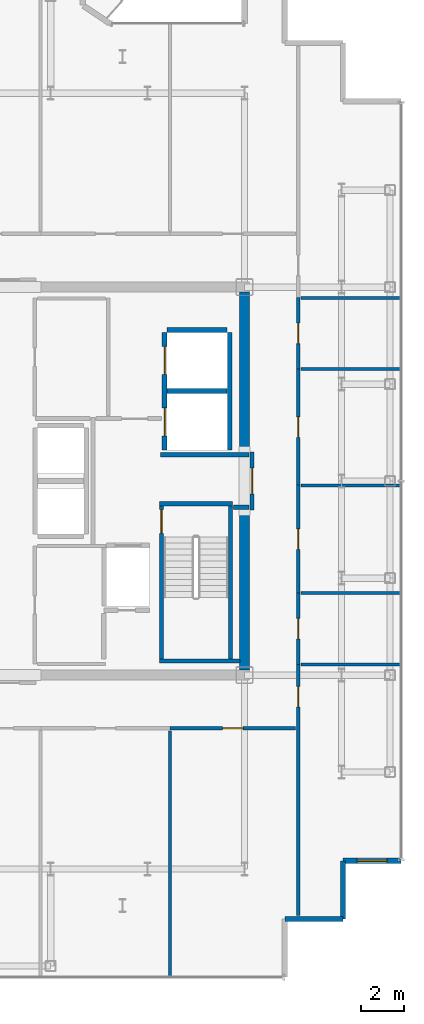
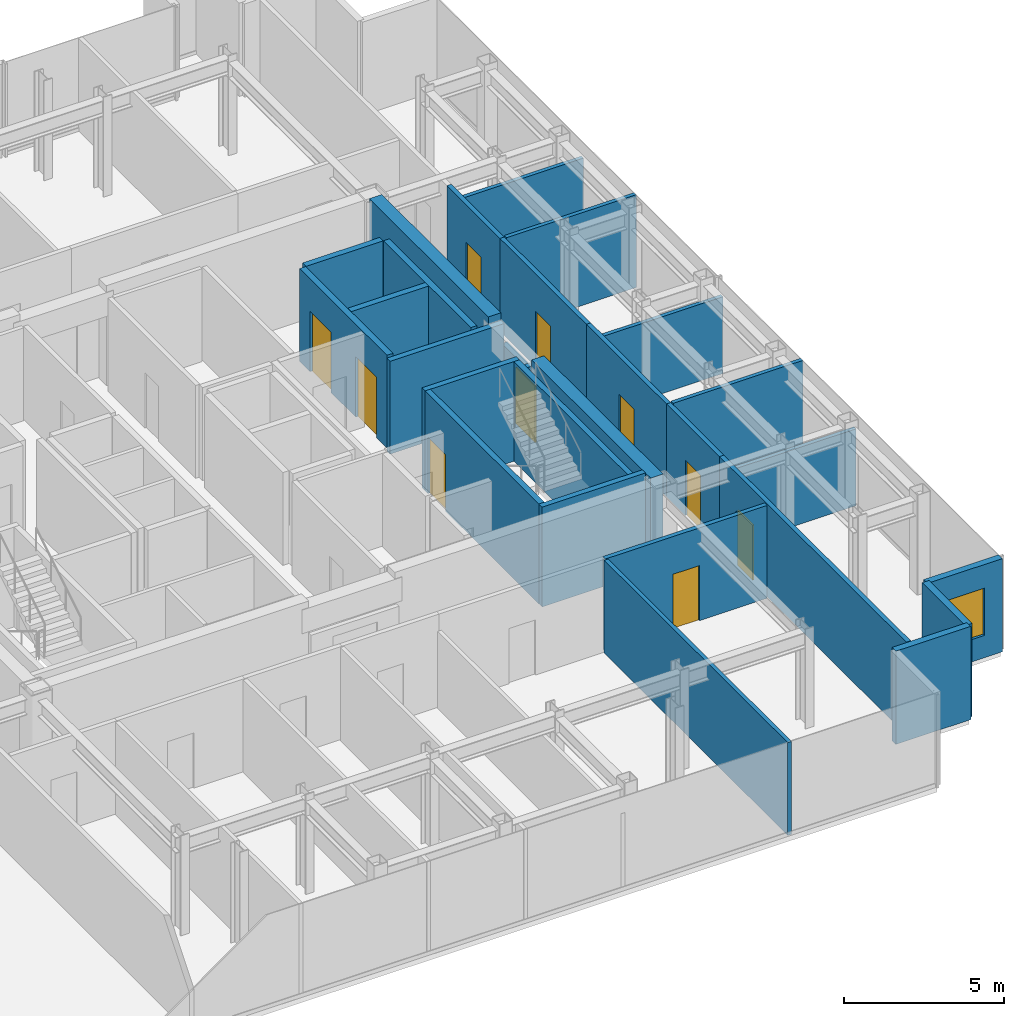
# One storey, part 15 of 18: 28 walls, 10 doors, 1 window, 11 openings.
"""IFC4 building model written with IfcOpenShell, lengths in metres."""

from ifc_helpers import new_model, si_unit, direction, frame, frame_2d, origin, place, context, subcontext, project, spatial, rectangle, extrude, source, transform, mapped, material, layer, layer_set, type_object, element, fill, save


model = new_model("IFC4")

# Units and contexts
model_context = context("Model", 3, precision=1e-05, world=origin(), true_north=direction((0.0, 1.0)))
body_context = subcontext(model_context, "Body", "Model", "MODEL_VIEW")
ifc_project = project(units=[si_unit("LENGTHUNIT", "METRE"), si_unit("AREAUNIT", "SQUARE_METRE"), si_unit("VOLUMEUNIT", "CUBIC_METRE"), si_unit("PLANEANGLEUNIT", "RADIAN"), si_unit("MASSUNIT", "GRAM", prefix="KILO")], contexts=[model_context])

# Site, building, storey
site_placement = place(None, origin())
site = spatial("IfcSite", under=ifc_project, at=site_placement, CompositionType="ELEMENT")
building_placement = place(site_placement, origin())
building = spatial("IfcBuilding", under=site, at=building_placement, Name="Nefas-Gora Pilgrimage Tower", CompositionType="ELEMENT")
storey_placement = place(building_placement, frame((0.0, 0.0, 291.199951171875)))
storey = spatial("IfcBuildingStorey", under=building, at=storey_placement, Name="L73", CompositionType="ELEMENT", Elevation=291.199951171875)

# Walls
ifc_material_1 = material(Name="Concrete C50/60", Category="concrete")
ifc_layer_1 = layer(ifc_material_1, 0.449951171875)
ifc_layer_set_1 = layer_set([ifc_layer_1], Name="Concrete C50/60")
wall_type_1 = type_object("IfcWallType", Name="SW-CORE-450", PredefinedType="SHEAR", material=ifc_layer_set_1)
shared_shape_1 = source(origin(), body_context, "Body", "SweptSolid", [
    extrude(rectangle(XDim=7.4248046875, YDim=0.449951171875, at=frame_2d((3.71240234375, 0.0))), origin(), (0.0, 0.0, 1.0), 3.800048828125),
])
for number, where, z_axis, x_axis, name in (
    (1, (11.25, -8.77490234375, 0.0), (0.0, 0.0, 1.0), (0.0, 1.0, 0.0), "L73 Core Shear Wall E-South"),
    (2, (11.25, 1.35009765625, 0.0), (0.0, 0.0, 1.0), (0.0, 1.0, 0.0), "L73 Core Shear Wall E-North"),
):
    element("IfcWall", number, at=place(storey_placement, frame(where, z_axis=z_axis, x_axis=x_axis)), inside=storey, type_object=wall_type_1, Name=name, PredefinedType="SHEAR", context=body_context, shape_type="MappedRepresentation", body=[
        mapped(shared_shape_1, transform((0.0, 0.0, 0.0), x_axis=(1.0, 0.0, 0.0), y_axis=(0.0, 1.0, 0.0), z_axis=(0.0, 0.0, 1.0), scale=1.0)),
    ])

# Wall, opening, window
ifc_material_2 = material(Name="Precast concrete C45/55", Category="concrete")
ifc_layer_2 = layer(ifc_material_2, 0.239990234375)
ifc_layer_set_2 = layer_set([ifc_layer_2], Name="Precast concrete C45/55")
wall_type_2 = type_object("IfcWallType", Name="EW-SERR-240", PredefinedType="SHEAR", material=ifc_layer_set_2)
shared_shape_2 = source(origin(), body_context, "Body", "SweptSolid", [
    extrude(rectangle(XDim=2.699951171875, YDim=0.239990234375, at=frame_2d((1.35009765625, 0.0))), origin(), (0.0, 0.0, 1.0), 3.550048828125),
])
wall_1_placement = place(storey_placement, frame((15.820068359375, -17.6201171875, 0.0), z_axis=(0.0, 0.0, 1.0), x_axis=(1.0, 0.0, 0.0)))
wall_1 = element("IfcWall", 3, at=wall_1_placement, inside=storey, type_object=wall_type_2, Name="L73 Serrated Corner Shear Pier Wall 1", PredefinedType="SHEAR", context=body_context, shape_type="MappedRepresentation", body=[
    mapped(shared_shape_2, transform((0.0, 0.0, 0.0), x_axis=(1.0, 0.0, 0.0), y_axis=(0.0, 1.0, 0.0), z_axis=(0.0, 0.0, 1.0), scale=1.0)),
])
opening_1_placement = place(wall_1_placement, frame((0.64990234375, 0.0, 0.85009765625)))
opening_1 = element("IfcOpeningElement", 4, at=opening_1_placement, cuts=wall_1, Name="Opening W-V2", PredefinedType="OPENING", context=body_context, shape_type="SweptSolid", body=[
    extrude(rectangle(XDim=1.39990234375, YDim=1.800048828125, at=frame_2d((0.699951171875, 0.89990234375))), frame((0.0, 0.1298828125, 0.0), z_axis=(0.0, -1.0, 0.0), x_axis=(1.0, 0.0, 0.0)), (0.0, 0.0, 1.0), 0.260009765625),
])
ifc_material_3 = material(Name="Dark ceramic-fritted operable aluminium-glass window", Category="aluminium")
window_type = type_object("IfcWindowType", Name="WIN-VENT-1400x1800", PartitioningType="SINGLE_PANEL", PredefinedType="WINDOW", material=ifc_material_3)
shared_shape_3 = source(origin(), body_context, "Body", "SweptSolid", [
    extrude(rectangle(XDim=1.39990234375, YDim=1.800048828125, at=frame_2d((0.699951171875, 0.89990234375))), frame((0.0, 0.030029296875, 0.0), z_axis=(0.0, -1.0, 0.0), x_axis=(1.0, 0.0, 0.0)), (0.0, 0.0, 1.0), 0.06005859375),
])
window_placement = place(opening_1_placement, origin())
window = element("IfcWindow", 5, at=window_placement, inside=storey, type_object=window_type, Name="L73 Operable Parallel-Outswing Window 1", OverallHeight=1.800048828125, OverallWidth=1.39990234375, PartitioningType="SINGLE_PANEL", PredefinedType="WINDOW", context=body_context, shape_type="MappedRepresentation", body=[
    mapped(shared_shape_3, transform((0.0, 0.0, 0.0), x_axis=(1.0, 0.0, 0.0), y_axis=(0.0, 1.0, 0.0), z_axis=(0.0, 0.0, 1.0), scale=1.0)),
])
fill(opening_1, window)

# Walls
for number, where, z_axis, x_axis, name in (
    (6, (13.1201171875, -20.320068359375, 0.0), (0.0, 0.0, 1.0), (1.0, 0.0, 0.0), "L73 Serrated Corner Shear Pier Wall 26"),
    (7, (15.820068359375, -20.320068359375, 0.0), (0.0, 0.0, 1.0), (0.0, 1.0, 0.0), "L73 Serrated Corner Shear Pier Wall 27"),
):
    element("IfcWall", number, at=place(storey_placement, frame(where, z_axis=z_axis, x_axis=x_axis)), inside=storey, type_object=wall_type_2, Name=name, PredefinedType="SHEAR", context=body_context, shape_type="MappedRepresentation", body=[
        mapped(shared_shape_2, transform((0.0, 0.0, 0.0), x_axis=(1.0, 0.0, 0.0), y_axis=(0.0, 1.0, 0.0), z_axis=(0.0, 0.0, 1.0), scale=1.0)),
    ])
ifc_material_4 = material(Name="Concrete C45/55", Category="concrete")
ifc_layer_3 = layer(ifc_material_4, 0.199951171875)
ifc_layer_set_3 = layer_set([ifc_layer_3], Name="Concrete C45/55")
wall_type_3 = type_object("IfcWallType", Name="IW-STAIR-200", PredefinedType="SOLIDWALL", material=ifc_layer_set_3)
shared_shape_4 = source(origin(), body_context, "Body", "SweptSolid", [
    extrude(rectangle(XDim=3.39990234375, YDim=0.199951171875, at=frame_2d((1.699951171875, 0.0))), origin(), (0.0, 0.0, 1.0), 3.800048828125),
])
wall_2_placement = place(storey_placement, frame((7.300048828125, -1.050048828125, 0.0), z_axis=(0.0, 0.0, 1.0), x_axis=(1.0, 0.0, 0.0)))
element("IfcWall", 8, at=wall_2_placement, inside=storey, type_object=wall_type_3, Name="L73 Stairwell Shear Wall ST-02-near", PredefinedType="SOLIDWALL", context=body_context, shape_type="MappedRepresentation", body=[
    mapped(shared_shape_4, transform((0.0, 0.0, 0.0), x_axis=(1.0, 0.0, 0.0), y_axis=(0.0, 1.0, 0.0), z_axis=(0.0, 0.0, 1.0), scale=1.0)),
])

# Wall, opening, door
shared_shape_5 = source(origin(), body_context, "Body", "SweptSolid", [
    extrude(rectangle(XDim=7.10009765625, YDim=0.199951171875, at=frame_2d((3.550048828125, 0.0))), origin(), (0.0, 0.0, 1.0), 3.800048828125),
])
wall_3_placement = place(storey_placement, frame((7.39990234375, -1.14990234375, 0.0), z_axis=(0.0, 0.0, 1.0), x_axis=(0.0, -1.0, 0.0)))
wall_3 = element("IfcWall", 9, at=wall_3_placement, inside=storey, type_object=wall_type_3, Name="L73 Stairwell Shear Wall ST-02-left", PredefinedType="SOLIDWALL", context=body_context, shape_type="MappedRepresentation", body=[
    mapped(shared_shape_5, transform((0.0, 0.0, 0.0), x_axis=(1.0, 0.0, 0.0), y_axis=(0.0, 1.0, 0.0), z_axis=(0.0, 0.0, 1.0), scale=1.0)),
])
opening_2_placement = place(wall_3_placement, frame((0.179931640625, 0.0, 0.0)))
opening_2 = element("IfcOpeningElement", 10, at=opening_2_placement, cuts=wall_3, Name="Opening ID-ST1", PredefinedType="OPENING", context=body_context, shape_type="SweptSolid", body=[
    extrude(rectangle(XDim=1.10009765625, YDim=2.14990234375, at=frame_2d((0.550048828125, 1.074951171875))), frame((0.0, 0.10986328125, 0.0), z_axis=(0.0, -1.0, 0.0), x_axis=(1.0, 0.0, 0.0)), (0.0, 0.0, 1.0), 0.219970703125),
])
ifc_material_5 = material(Name="Painted galvanised steel fire stair door", Category="steel")
door_type_1 = type_object("IfcDoorType", Name="DR-INT-STAIR-1100", OperationType="NOTDEFINED", PredefinedType="DOOR", material=ifc_material_5)
shared_shape_6 = source(origin(), body_context, "Body", "SweptSolid", [
    extrude(rectangle(XDim=1.10009765625, YDim=2.14990234375, at=frame_2d((0.550048828125, 1.074951171875))), frame((0.0, 0.02490234375, 0.0), z_axis=(0.0, -1.0, 0.0), x_axis=(1.0, 0.0, 0.0)), (0.0, 0.0, 1.0), 0.050048828125),
])
door_1_placement = place(opening_2_placement, origin())
door_1 = element("IfcDoor", 11, at=door_1_placement, inside=storey, type_object=door_type_1, Name="L73 Protected Exit Stair Door ST-02", OperationType="SINGLE_SWING_RIGHT", OverallHeight=2.14990234375, OverallWidth=1.10009765625, PredefinedType="DOOR", context=body_context, shape_type="MappedRepresentation", body=[
    mapped(shared_shape_6, transform((0.0, 0.0, 0.0), x_axis=(1.0, 0.0, 0.0), y_axis=(0.0, 1.0, 0.0), z_axis=(0.0, 0.0, 1.0), scale=1.0)),
])
fill(opening_2, door_1)

# Walls
wall_4_placement = place(storey_placement, frame((10.60009765625, -1.14990234375, 0.0), z_axis=(0.0, 0.0, 1.0), x_axis=(0.0, -1.0, 0.0)))
element("IfcWall", 12, at=wall_4_placement, inside=storey, type_object=wall_type_3, Name="L73 Stairwell Shear Wall ST-02-right", PredefinedType="SOLIDWALL", context=body_context, shape_type="MappedRepresentation", body=[
    mapped(shared_shape_5, transform((0.0, 0.0, 0.0), x_axis=(1.0, 0.0, 0.0), y_axis=(0.0, 1.0, 0.0), z_axis=(0.0, 0.0, 1.0), scale=1.0)),
])
shared_shape_7 = source(origin(), body_context, "Body", "SweptSolid", [
    extrude(rectangle(XDim=3.72998046875, YDim=0.199951171875, at=frame_2d((1.864990234375, 0.0))), origin(), (0.0, 0.0, 1.0), 3.800048828125),
])
wall_5_placement = place(storey_placement, frame((7.300048828125, -8.35009765625, 0.0), z_axis=(0.0, 0.0, 1.0), x_axis=(1.0, 0.0, 0.0)))
element("IfcWall", 13, at=wall_5_placement, inside=storey, type_object=wall_type_3, Name="L73 Stairwell Shear Wall ST-02-far", PredefinedType="SOLIDWALL", context=body_context, shape_type="MappedRepresentation", body=[
    mapped(shared_shape_7, transform((0.0, 0.0, 0.0), x_axis=(1.0, 0.0, 0.0), y_axis=(0.0, 1.0, 0.0), z_axis=(0.0, 0.0, 1.0), scale=1.0)),
])

# Wall, openings, doors
ifc_material_6 = material(Name="Concrete C40/50", Category="concrete")
ifc_layer_4 = layer(ifc_material_6, 0.219970703125)
ifc_layer_set_4 = layer_set([ifc_layer_4], Name="Concrete C40/50")
wall_type_4 = type_object("IfcWallType", Name="IW-SHAFT-220", PredefinedType="SOLIDWALL", material=ifc_layer_set_4)
shared_shape_8 = source(origin(), body_context, "Body", "SweptSolid", [
    extrude(rectangle(XDim=5.449951171875, YDim=0.219970703125, at=frame_2d((2.72509765625, 0.0))), origin(), (0.0, 0.0, 1.0), 3.53515625),
])
wall_6_placement = place(storey_placement, frame((7.5400390625, 6.89990234375, 0.0), z_axis=(0.0, 0.0, 1.0), x_axis=(0.0, -1.0, 0.0)))
wall_6 = element("IfcWall", 14, at=wall_6_placement, inside=storey, type_object=wall_type_4, Name="L73 Hoistway Wall SL-01-02-W", PredefinedType="SOLIDWALL", context=body_context, shape_type="MappedRepresentation", body=[
    mapped(shared_shape_8, transform((0.0, 0.0, 0.0), x_axis=(1.0, 0.0, 0.0), y_axis=(0.0, 1.0, 0.0), z_axis=(0.0, 0.0, 1.0), scale=1.0)),
])
opening_3_placement = place(wall_6_placement, frame((3.5, 0.0, 0.0)))
opening_3 = element("IfcOpeningElement", 15, at=opening_3_placement, cuts=wall_6, Name="Opening LD-SV", PredefinedType="OPENING", context=body_context, shape_type="SweptSolid", body=[
    extrude(rectangle(XDim=1.300048828125, YDim=2.300048828125, at=frame_2d((0.64990234375, 1.14990234375))), frame((0.0, 0.119873046875, 0.0), z_axis=(0.0, -1.0, 0.0), x_axis=(1.0, 0.0, 0.0)), (0.0, 0.0, 1.0), 0.239990234375),
])
opening_4_placement = place(wall_6_placement, frame((0.64990234375, 0.0, 0.0)))
opening_4 = element("IfcOpeningElement", 16, at=opening_4_placement, cuts=wall_6, Name="Opening LD-SV", PredefinedType="OPENING", context=body_context, shape_type="SweptSolid", body=[
    extrude(rectangle(XDim=1.300048828125, YDim=2.300048828125, at=frame_2d((0.64990234375, 1.14990234375))), frame((0.0, 0.119873046875, 0.0), z_axis=(0.0, -1.0, 0.0), x_axis=(1.0, 0.0, 0.0)), (0.0, 0.0, 1.0), 0.239990234375),
])
ifc_material_7 = material(Name="Heavy goods sliding lift landing door")
door_type_2 = type_object("IfcDoorType", Name="DR-LIFT-SERV-1300", OperationType="SLIDING_TO_RIGHT", PredefinedType="DOOR", material=ifc_material_7)
shared_shape_9 = source(origin(), body_context, "Body", "SweptSolid", [
    extrude(rectangle(XDim=1.300048828125, YDim=2.300048828125, at=frame_2d((0.64990234375, 1.14990234375))), frame((0.0, 0.02490234375, 0.0), z_axis=(0.0, -1.0, 0.0), x_axis=(1.0, 0.0, 0.0)), (0.0, 0.0, 1.0), 0.050048828125),
])
door_2_placement = place(opening_3_placement, origin())
door_2 = element("IfcDoor", 17, at=door_2_placement, inside=storey, type_object=door_type_2, Name="L73 Sliding Lift Landing Door SL-01", OperationType="SLIDING_TO_RIGHT", OverallHeight=2.300048828125, OverallWidth=1.300048828125, PredefinedType="DOOR", context=body_context, shape_type="MappedRepresentation", body=[
    mapped(shared_shape_9, transform((0.0, 0.0, 0.0), x_axis=(1.0, 0.0, 0.0), y_axis=(0.0, 1.0, 0.0), z_axis=(0.0, 0.0, 1.0), scale=1.0)),
])
fill(opening_3, door_2)
door_3_placement = place(opening_4_placement, origin())
door_3 = element("IfcDoor", 18, at=door_3_placement, inside=storey, type_object=door_type_2, Name="L73 Sliding Lift Landing Door SL-02", OperationType="SLIDING_TO_RIGHT", OverallHeight=2.300048828125, OverallWidth=1.300048828125, PredefinedType="DOOR", context=body_context, shape_type="MappedRepresentation", body=[
    mapped(shared_shape_9, transform((0.0, 0.0, 0.0), x_axis=(1.0, 0.0, 0.0), y_axis=(0.0, 1.0, 0.0), z_axis=(0.0, 0.0, 1.0), scale=1.0)),
])
fill(opening_4, door_3)

# Walls
wall_7_placement = place(storey_placement, frame((10.56005859375, 1.449951171875, 0.0), z_axis=(0.0, 0.0, 1.0), x_axis=(0.0, 1.0, 0.0)))
element("IfcWall", 19, at=wall_7_placement, inside=storey, type_object=wall_type_4, Name="L73 Hoistway Wall SL-01-02-E", PredefinedType="SOLIDWALL", context=body_context, shape_type="MappedRepresentation", body=[
    mapped(shared_shape_8, transform((0.0, 0.0, 0.0), x_axis=(1.0, 0.0, 0.0), y_axis=(0.0, 1.0, 0.0), z_axis=(0.0, 0.0, 1.0), scale=1.0)),
])
shared_shape_10 = source(origin(), body_context, "Body", "SweptSolid", [
    extrude(rectangle(XDim=2.780029296875, YDim=0.219970703125, at=frame_2d((1.39013671875, 0.0))), origin(), (0.0, 0.0, 1.0), 3.53515625),
])
for number, where, z_axis, x_axis, name in (
    (20, (7.659912109375, 4.175048828125, 0.0), (0.0, 0.0, 1.0), (1.0, 0.0, 0.0), "L73 Hoistway Wall SL-01-02-DIV"),
    (21, (10.43994140625, 7.010009765625, 0.0), (0.0, 0.0, 1.0), (-1.0, 0.0, 0.0), "L73 Hoistway Wall SL-02-N"),
):
    element("IfcWall", number, at=place(storey_placement, frame(where, z_axis=z_axis, x_axis=x_axis)), inside=storey, type_object=wall_type_4, Name=name, PredefinedType="SOLIDWALL", context=body_context, shape_type="MappedRepresentation", body=[
        mapped(shared_shape_10, transform((0.0, 0.0, 0.0), x_axis=(1.0, 0.0, 0.0), y_axis=(0.0, 1.0, 0.0), z_axis=(0.0, 0.0, 1.0), scale=1.0)),
    ])
ifc_material_8 = material(Name="Gypsum fire-rated shaftwall")
ifc_layer_5 = layer(ifc_material_8, 0.199951171875)
ifc_layer_set_5 = layer_set([ifc_layer_5], Name="Gypsum fire-rated shaftwall")
wall_type_5 = type_object("IfcWallType", Name="IW-FFLOB-200", PredefinedType="PARTITIONING", material=ifc_layer_set_5)
shared_shape_11 = source(origin(), body_context, "Body", "SweptSolid", [
    extrude(rectangle(XDim=0.719970703125, YDim=0.199951171875, at=frame_2d((0.35986328125, 0.0))), origin(), (0.0, 0.0, 1.0), 3.53515625),
])
wall_8_placement = place(storey_placement, frame((10.739990234375, -1.219970703125, 0.0), z_axis=(0.0, 0.0, 1.0), x_axis=(1.0, 0.0, 0.0)))
element("IfcWall", 22, at=wall_8_placement, inside=storey, type_object=wall_type_5, Name="L73 FF Lobby East Throat S Wall 15", PredefinedType="PARTITIONING", context=body_context, shape_type="MappedRepresentation", body=[
    mapped(shared_shape_11, transform((0.0, 0.0, 0.0), x_axis=(1.0, 0.0, 0.0), y_axis=(0.0, 1.0, 0.0), z_axis=(0.0, 0.0, 1.0), scale=1.0)),
])
shared_shape_12 = source(origin(), body_context, "Body", "SweptSolid", [
    extrude(rectangle(XDim=4.10986328125, YDim=0.199951171875, at=frame_2d((2.054931640625, 0.0))), origin(), (0.0, 0.0, 1.0), 3.53515625),
])
wall_9_placement = place(storey_placement, frame((7.35009765625, 1.219970703125, 0.0), z_axis=(0.0, 0.0, 1.0), x_axis=(1.0, 0.0, 0.0)))
element("IfcWall", 23, at=wall_9_placement, inside=storey, type_object=wall_type_5, Name="L73 FF Lobby East Throat N Wall 14", PredefinedType="PARTITIONING", context=body_context, shape_type="MappedRepresentation", body=[
    mapped(shared_shape_12, transform((0.0, 0.0, 0.0), x_axis=(1.0, 0.0, 0.0), y_axis=(0.0, 1.0, 0.0), z_axis=(0.0, 0.0, 1.0), scale=1.0)),
])

# Wall, opening, door
ifc_material_9 = material(Name="Gypsum acoustic stud partition")
ifc_layer_6 = layer(ifc_material_9, 0.159912109375)
ifc_layer_set_6 = layer_set([ifc_layer_6], Name="Gypsum acoustic stud partition")
wall_type_6 = type_object("IfcWallType", Name="IW-CORR-160", PredefinedType="PARTITIONING", material=ifc_layer_set_6)
shared_shape_13 = source(origin(), body_context, "Body", "SweptSolid", [
    extrude(rectangle(XDim=3.309814453125, YDim=0.159912109375, at=frame_2d((1.65478515625, 0.0))), origin(), (0.0, 0.0, 1.0), 3.53515625),
])
wall_10_placement = place(storey_placement, frame((13.739990234375, -8.5048828125, 0.0), z_axis=(0.0, 0.0, 1.0), x_axis=(0.0, 1.0, 0.0)))
wall_10 = element("IfcWall", 24, at=wall_10_placement, inside=storey, type_object=wall_type_6, Name="L73 Pastoral Chaplains Counselling Office Partition Wall 42", PredefinedType="PARTITIONING", context=body_context, shape_type="MappedRepresentation", body=[
    mapped(shared_shape_13, transform((0.0, 0.0, 0.0), x_axis=(1.0, 0.0, 0.0), y_axis=(0.0, 1.0, 0.0), z_axis=(0.0, 0.0, 1.0), scale=1.0)),
])
opening_5_placement = place(wall_10_placement, frame((1.179931640625, 0.0, 0.0)))
opening_5 = element("IfcOpeningElement", 25, at=opening_5_placement, cuts=wall_10, Name="Opening ID-GR1", PredefinedType="OPENING", context=body_context, shape_type="SweptSolid", body=[
    extrude(rectangle(XDim=0.949951171875, YDim=2.10009765625, at=frame_2d((0.47509765625, 1.050048828125))), frame((0.0, 0.08984375, 0.0), z_axis=(0.0, -1.0, 0.0), x_axis=(1.0, 0.0, 0.0)), (0.0, 0.0, 1.0), 0.179931640625),
])
ifc_material_10 = material(Name="Solid core oak fire-rated guest entrance door")
door_type_3 = type_object("IfcDoorType", Name="DR-INT-GUEST-950", OperationType="NOTDEFINED", PredefinedType="DOOR", material=ifc_material_10)
shared_shape_14 = source(origin(), body_context, "Body", "SweptSolid", [
    extrude(rectangle(XDim=0.949951171875, YDim=2.10009765625, at=frame_2d((0.47509765625, 1.050048828125))), frame((0.0, 0.02490234375, 0.0), z_axis=(0.0, -1.0, 0.0), x_axis=(1.0, 0.0, 0.0)), (0.0, 0.0, 1.0), 0.050048828125),
])
door_4_placement = place(opening_5_placement, origin())
door_4 = element("IfcDoor", 26, at=door_4_placement, inside=storey, type_object=door_type_3, Name="L73 Pastoral Chaplains Counselling Office Door 19", OperationType="SINGLE_SWING_LEFT", OverallHeight=2.10009765625, OverallWidth=0.949951171875, PredefinedType="DOOR", context=body_context, shape_type="MappedRepresentation", body=[
    mapped(shared_shape_14, transform((0.0, 0.0, 0.0), x_axis=(1.0, 0.0, 0.0), y_axis=(0.0, 1.0, 0.0), z_axis=(0.0, 0.0, 1.0), scale=1.0)),
])
fill(opening_5, door_4)

wall_11_placement = place(storey_placement, frame((13.739990234375, 5.195068359375, 0.0), z_axis=(0.0, 0.0, 1.0), x_axis=(0.0, 1.0, 0.0)))
wall_11 = element("IfcWall", 27, at=wall_11_placement, inside=storey, type_object=wall_type_6, Name="L73 Scripture Reading Study Partition Wall 48", PredefinedType="PARTITIONING", context=body_context, shape_type="MappedRepresentation", body=[
    mapped(shared_shape_13, transform((0.0, 0.0, 0.0), x_axis=(1.0, 0.0, 0.0), y_axis=(0.0, 1.0, 0.0), z_axis=(0.0, 0.0, 1.0), scale=1.0)),
])
opening_6_placement = place(wall_11_placement, frame((1.179931640625, 0.0, 0.0)))
opening_6 = element("IfcOpeningElement", 28, at=opening_6_placement, cuts=wall_11, Name="Opening ID-GR1", PredefinedType="OPENING", context=body_context, shape_type="SweptSolid", body=[
    extrude(rectangle(XDim=0.949951171875, YDim=2.10009765625, at=frame_2d((0.47509765625, 1.050048828125))), frame((0.0, 0.08984375, 0.0), z_axis=(0.0, -1.0, 0.0), x_axis=(1.0, 0.0, 0.0)), (0.0, 0.0, 1.0), 0.179931640625),
])
door_5_placement = place(opening_6_placement, origin())
door_5 = element("IfcDoor", 29, at=door_5_placement, inside=storey, type_object=door_type_3, Name="L73 Scripture Reading Study Door 22", OperationType="SINGLE_SWING_RIGHT", OverallHeight=2.10009765625, OverallWidth=0.949951171875, PredefinedType="DOOR", context=body_context, shape_type="MappedRepresentation", body=[
    mapped(shared_shape_14, transform((0.0, 0.0, 0.0), x_axis=(1.0, 0.0, 0.0), y_axis=(0.0, 1.0, 0.0), z_axis=(0.0, 0.0, 1.0), scale=1.0)),
])
fill(opening_6, door_5)

shared_shape_15 = source(origin(), body_context, "Body", "SweptSolid", [
    extrude(rectangle(XDim=5.8251953125, YDim=0.159912109375, at=frame_2d((2.91259765625, 0.0))), origin(), (0.0, 0.0, 1.0), 3.53515625),
])
wall_12_placement = place(storey_placement, frame((7.794921875, -11.469970703125, 0.0), z_axis=(0.0, 0.0, 1.0), x_axis=(1.0, 0.0, 0.0)))
wall_12 = element("IfcWall", 30, at=wall_12_placement, inside=storey, type_object=wall_type_6, Name="L73 Pilgrim Contemplative Lounge Partition Wall 69", PredefinedType="PARTITIONING", context=body_context, shape_type="MappedRepresentation", body=[
    mapped(shared_shape_15, transform((0.0, 0.0, 0.0), x_axis=(1.0, 0.0, 0.0), y_axis=(0.0, 1.0, 0.0), z_axis=(0.0, 0.0, 1.0), scale=1.0)),
])
opening_7_placement = place(wall_12_placement, frame((2.4375, 0.0, 0.0)))
opening_7 = element("IfcOpeningElement", 31, at=opening_7_placement, cuts=wall_12, Name="Opening ID-GR1", PredefinedType="OPENING", context=body_context, shape_type="SweptSolid", body=[
    extrude(rectangle(XDim=0.949951171875, YDim=2.10009765625, at=frame_2d((0.47509765625, 1.050048828125))), frame((0.0, 0.08984375, 0.0), z_axis=(0.0, -1.0, 0.0), x_axis=(1.0, 0.0, 0.0)), (0.0, 0.0, 1.0), 0.179931640625),
])
door_6_placement = place(opening_7_placement, origin())
door_6 = element("IfcDoor", 32, at=door_6_placement, inside=storey, type_object=door_type_3, Name="L73 Pilgrim Contemplative Lounge Door 34", OperationType="SINGLE_SWING_RIGHT", OverallHeight=2.10009765625, OverallWidth=0.949951171875, PredefinedType="DOOR", context=body_context, shape_type="MappedRepresentation", body=[
    mapped(shared_shape_14, transform((0.0, 0.0, 0.0), x_axis=(1.0, 0.0, 0.0), y_axis=(0.0, 1.0, 0.0), z_axis=(0.0, 0.0, 1.0), scale=1.0)),
])
fill(opening_7, door_6)

shared_shape_16 = source(origin(), body_context, "Body", "SweptSolid", [
    extrude(rectangle(XDim=5.010009765625, YDim=0.159912109375, at=frame_2d((2.5048828125, 0.0))), origin(), (0.0, 0.0, 1.0), 3.53515625),
])
wall_13_placement = place(storey_placement, frame((13.739990234375, -5.205078125, 0.0), z_axis=(0.0, 0.0, 1.0), x_axis=(0.0, 1.0, 0.0)))
wall_13 = element("IfcWall", 33, at=wall_13_placement, inside=storey, type_object=wall_type_6, Name="L73 Pilgrim Contemplative Lounge Partition Wall 44", PredefinedType="PARTITIONING", context=body_context, shape_type="MappedRepresentation", body=[
    mapped(shared_shape_16, transform((0.0, 0.0, 0.0), x_axis=(1.0, 0.0, 0.0), y_axis=(0.0, 1.0, 0.0), z_axis=(0.0, 0.0, 1.0), scale=1.0)),
])
opening_8_placement = place(wall_13_placement, frame((2.030029296875, 0.0, 0.0)))
opening_8 = element("IfcOpeningElement", 34, at=opening_8_placement, cuts=wall_13, Name="Opening ID-GR1", PredefinedType="OPENING", context=body_context, shape_type="SweptSolid", body=[
    extrude(rectangle(XDim=0.949951171875, YDim=2.10009765625, at=frame_2d((0.47509765625, 1.050048828125))), frame((0.0, 0.08984375, 0.0), z_axis=(0.0, -1.0, 0.0), x_axis=(1.0, 0.0, 0.0)), (0.0, 0.0, 1.0), 0.179931640625),
])
door_7_placement = place(opening_8_placement, origin())
door_7 = element("IfcDoor", 35, at=door_7_placement, inside=storey, type_object=door_type_3, Name="L73 Pilgrim Contemplative Lounge Door 20", OperationType="SINGLE_SWING_RIGHT", OverallHeight=2.10009765625, OverallWidth=0.949951171875, PredefinedType="DOOR", context=body_context, shape_type="MappedRepresentation", body=[
    mapped(shared_shape_14, transform((0.0, 0.0, 0.0), x_axis=(1.0, 0.0, 0.0), y_axis=(0.0, 1.0, 0.0), z_axis=(0.0, 0.0, 1.0), scale=1.0)),
])
fill(opening_8, door_7)

shared_shape_17 = source(origin(), body_context, "Body", "SweptSolid", [
    extrude(rectangle(XDim=5.41015625, YDim=0.159912109375, at=frame_2d((2.705078125, 0.0))), origin(), (0.0, 0.0, 1.0), 3.53515625),
])
wall_14_placement = place(storey_placement, frame((13.739990234375, -0.205078125, 0.0), z_axis=(0.0, 0.0, 1.0), x_axis=(0.0, 1.0, 0.0)))
wall_14 = element("IfcWall", 36, at=wall_14_placement, inside=storey, type_object=wall_type_6, Name="L73 Pilgrim Contemplative Lounge Partition Wall 46", PredefinedType="PARTITIONING", context=body_context, shape_type="MappedRepresentation", body=[
    mapped(shared_shape_17, transform((0.0, 0.0, 0.0), x_axis=(1.0, 0.0, 0.0), y_axis=(0.0, 1.0, 0.0), z_axis=(0.0, 0.0, 1.0), scale=1.0)),
])
opening_9_placement = place(wall_14_placement, frame((2.22998046875, 0.0, 0.0)))
opening_9 = element("IfcOpeningElement", 37, at=opening_9_placement, cuts=wall_14, Name="Opening ID-GR1", PredefinedType="OPENING", context=body_context, shape_type="SweptSolid", body=[
    extrude(rectangle(XDim=0.949951171875, YDim=2.10009765625, at=frame_2d((0.47509765625, 1.050048828125))), frame((0.0, 0.08984375, 0.0), z_axis=(0.0, -1.0, 0.0), x_axis=(1.0, 0.0, 0.0)), (0.0, 0.0, 1.0), 0.179931640625),
])
door_8_placement = place(opening_9_placement, origin())
door_8 = element("IfcDoor", 38, at=door_8_placement, inside=storey, type_object=door_type_3, Name="L73 Pilgrim Contemplative Lounge Door 21", OperationType="SINGLE_SWING_LEFT", OverallHeight=2.10009765625, OverallWidth=0.949951171875, PredefinedType="DOOR", context=body_context, shape_type="MappedRepresentation", body=[
    mapped(shared_shape_14, transform((0.0, 0.0, 0.0), x_axis=(1.0, 0.0, 0.0), y_axis=(0.0, 1.0, 0.0), z_axis=(0.0, 0.0, 1.0), scale=1.0)),
])
fill(opening_9, door_8)

shared_shape_18 = source(origin(), body_context, "Body", "SweptSolid", [
    extrude(rectangle(XDim=2.7001953125, YDim=0.199951171875, at=frame_2d((1.35009765625, 0.0))), origin(), (0.0, 0.0, 1.0), 2.625),
])
wall_15_placement = place(storey_placement, frame((11.60009765625, -1.35009765625, 0.0), z_axis=(0.0, 0.0, 1.0), x_axis=(0.0, 1.0, 0.0)))
wall_15 = element("IfcWall", 39, at=wall_15_placement, inside=storey, type_object=wall_type_5, Name="L73 FF Lobby East Portal Wall 10", PredefinedType="PARTITIONING", context=body_context, shape_type="MappedRepresentation", body=[
    mapped(shared_shape_18, transform((0.0, 0.0, 0.0), x_axis=(1.0, 0.0, 0.0), y_axis=(0.0, 1.0, 0.0), z_axis=(0.0, 0.0, 1.0), scale=1.0)),
])
opening_10_placement = place(wall_15_placement, frame((0.75, 0.0, 0.0)))
opening_10 = element("IfcOpeningElement", 40, at=opening_10_placement, cuts=wall_15, Name="Opening ID-FF1", PredefinedType="OPENING", context=body_context, shape_type="SweptSolid", body=[
    extrude(rectangle(XDim=1.199951171875, YDim=2.14990234375, at=frame_2d((0.60009765625, 1.074951171875))), frame((0.0, 0.10986328125, 0.0), z_axis=(0.0, -1.0, 0.0), x_axis=(1.0, 0.0, 0.0)), (0.0, 0.0, 1.0), 0.219970703125),
])
ifc_material_11 = material(Name="Smoke-sealed steel firefighting lobby door", Category="steel")
door_type_4 = type_object("IfcDoorType", Name="DR-INT-FFLOB-1200", OperationType="NOTDEFINED", PredefinedType="DOOR", material=ifc_material_11)
shared_shape_19 = source(origin(), body_context, "Body", "SweptSolid", [
    extrude(rectangle(XDim=1.199951171875, YDim=2.14990234375, at=frame_2d((0.60009765625, 1.074951171875))), frame((0.0, 0.02490234375, 0.0), z_axis=(0.0, -1.0, 0.0), x_axis=(1.0, 0.0, 0.0)), (0.0, 0.0, 1.0), 0.050048828125),
])
door_9_placement = place(opening_10_placement, origin())
door_9 = element("IfcDoor", 41, at=door_9_placement, inside=storey, type_object=door_type_4, Name="L73 FF Lobby East Portal Door 4", OperationType="SINGLE_SWING_RIGHT", OverallHeight=2.14990234375, OverallWidth=1.199951171875, PredefinedType="DOOR", context=body_context, shape_type="MappedRepresentation", body=[
    mapped(shared_shape_19, transform((0.0, 0.0, 0.0), x_axis=(1.0, 0.0, 0.0), y_axis=(0.0, 1.0, 0.0), z_axis=(0.0, 0.0, 1.0), scale=1.0)),
])
fill(opening_10, door_9)

# Walls
ifc_material_12 = material(Name="Gypsum twin-stud partition")
ifc_layer_7 = layer(ifc_material_12, 0.139892578125)
ifc_layer_set_7 = layer_set([ifc_layer_7], Name="Gypsum twin-stud partition")
wall_type_7 = type_object("IfcWallType", Name="IW-UNIT-140", PredefinedType="PARTITIONING", material=ifc_layer_set_7)
shared_shape_20 = source(origin(), body_context, "Body", "SweptSolid", [
    extrude(rectangle(XDim=4.679931640625, YDim=0.139892578125, at=frame_2d((2.33984375, 0.0))), origin(), (0.0, 0.0, 1.0), 3.53515625),
])
for number, where, z_axis, x_axis, name in (
    (42, (13.860107421875, -5.205078125, 0.0), (0.0, 0.0, 1.0), (1.0, 0.0, 0.0), "L73 Pastoral Chaplains Counselling Office Partition Wall 43"),
    (43, (13.860107421875, 5.195068359375, 0.0), (0.0, 0.0, 1.0), (1.0, 0.0, 0.0), "L73 Pilgrim Contemplative Lounge Partition Wall 47"),
):
    element("IfcWall", number, at=place(storey_placement, frame(where, z_axis=z_axis, x_axis=x_axis)), inside=storey, type_object=wall_type_7, Name=name, PredefinedType="PARTITIONING", context=body_context, shape_type="MappedRepresentation", body=[
        mapped(shared_shape_20, transform((0.0, 0.0, 0.0), x_axis=(1.0, 0.0, 0.0), y_axis=(0.0, 1.0, 0.0), z_axis=(0.0, 0.0, 1.0), scale=1.0)),
    ])
shared_shape_21 = source(origin(), body_context, "Body", "SweptSolid", [
    extrude(rectangle(XDim=4.679931640625, YDim=0.139892578125, at=frame_2d((2.33984375, 0.0))), origin(), (0.0, 0.0, 1.0), 2.925048828125),
])
for number, where, z_axis, x_axis, name in (
    (44, (13.860107421875, -8.5048828125, 0.0), (0.0, 0.0, 1.0), (1.0, 0.0, 0.0), "L73 Pilgrim Fellowship Seminar Room Partition Wall 41"),
    (45, (13.860107421875, -0.205078125, 0.0), (0.0, 0.0, 1.0), (1.0, 0.0, 0.0), "L73 Pilgrim Contemplative Lounge Partition Wall 45"),
    (46, (13.860107421875, 8.4951171875, 0.0), (0.0, 0.0, 1.0), (1.0, 0.0, 0.0), "L73 Scripture Reading Study Partition Wall 49"),
):
    element("IfcWall", number, at=place(storey_placement, frame(where, z_axis=z_axis, x_axis=x_axis)), inside=storey, type_object=wall_type_7, Name=name, PredefinedType="PARTITIONING", context=body_context, shape_type="MappedRepresentation", body=[
        mapped(shared_shape_21, transform((0.0, 0.0, 0.0), x_axis=(1.0, 0.0, 0.0), y_axis=(0.0, 1.0, 0.0), z_axis=(0.0, 0.0, 1.0), scale=1.0)),
    ])

# Wall, opening, door
shared_shape_22 = source(origin(), body_context, "Body", "SweptSolid", [
    extrude(rectangle(XDim=11.664794921875, YDim=0.159912109375, at=frame_2d((5.83251953125, 0.0))), origin(), (0.0, 0.0, 1.0), 3.53515625),
])
wall_16_placement = place(storey_placement, frame((13.739990234375, -20.159912109375, 0.0), z_axis=(0.0, 0.0, 1.0), x_axis=(0.0, 1.0, 0.0)))
wall_16 = element("IfcWall", 47, at=wall_16_placement, inside=storey, type_object=wall_type_6, Name="L73 Pilgrim Fellowship Seminar Room Partition Wall 40", PredefinedType="PARTITIONING", context=body_context, shape_type="MappedRepresentation", body=[
    mapped(shared_shape_22, transform((0.0, 0.0, 0.0), x_axis=(1.0, 0.0, 0.0), y_axis=(0.0, 1.0, 0.0), z_axis=(0.0, 0.0, 1.0), scale=1.0)),
])
opening_11_placement = place(wall_16_placement, frame((9.6826171875, 0.0, 0.0)))
opening_11 = element("IfcOpeningElement", 48, at=opening_11_placement, cuts=wall_16, Name="Opening ID-GR1", PredefinedType="OPENING", context=body_context, shape_type="SweptSolid", body=[
    extrude(rectangle(XDim=0.949951171875, YDim=2.10009765625, at=frame_2d((0.47509765625, 1.050048828125))), frame((0.0, 0.08984375, 0.0), z_axis=(0.0, -1.0, 0.0), x_axis=(1.0, 0.0, 0.0)), (0.0, 0.0, 1.0), 0.179931640625),
])
door_10_placement = place(opening_11_placement, origin())
door_10 = element("IfcDoor", 49, at=door_10_placement, inside=storey, type_object=door_type_3, Name="L73 Pilgrim Fellowship Seminar Room Door 18", OperationType="SINGLE_SWING_RIGHT", OverallHeight=2.10009765625, OverallWidth=0.949951171875, PredefinedType="DOOR", context=body_context, shape_type="MappedRepresentation", body=[
    mapped(shared_shape_14, transform((0.0, 0.0, 0.0), x_axis=(1.0, 0.0, 0.0), y_axis=(0.0, 1.0, 0.0), z_axis=(0.0, 0.0, 1.0), scale=1.0)),
])
fill(opening_11, door_10)

# Wall
shared_shape_23 = source(origin(), body_context, "Body", "SweptSolid", [
    extrude(rectangle(XDim=11.449951171875, YDim=0.139892578125, at=frame_2d((5.72509765625, 0.0))), origin(), (0.0, 0.0, 1.0), 3.53515625),
])
wall_17_placement = place(storey_placement, frame((7.794921875, -23.0400390625, 0.0), z_axis=(0.0, 0.0, 1.0), x_axis=(0.0, 1.0, 0.0)))
element("IfcWall", 50, at=wall_17_placement, inside=storey, type_object=wall_type_7, Name="L73 Pilgrim Contemplative Lounge Partition Wall 68", PredefinedType="PARTITIONING", context=body_context, shape_type="MappedRepresentation", body=[
    mapped(shared_shape_23, transform((0.0, 0.0, 0.0), x_axis=(1.0, 0.0, 0.0), y_axis=(0.0, 1.0, 0.0), z_axis=(0.0, 0.0, 1.0), scale=1.0)),
])

save(model, "model.ifc")
